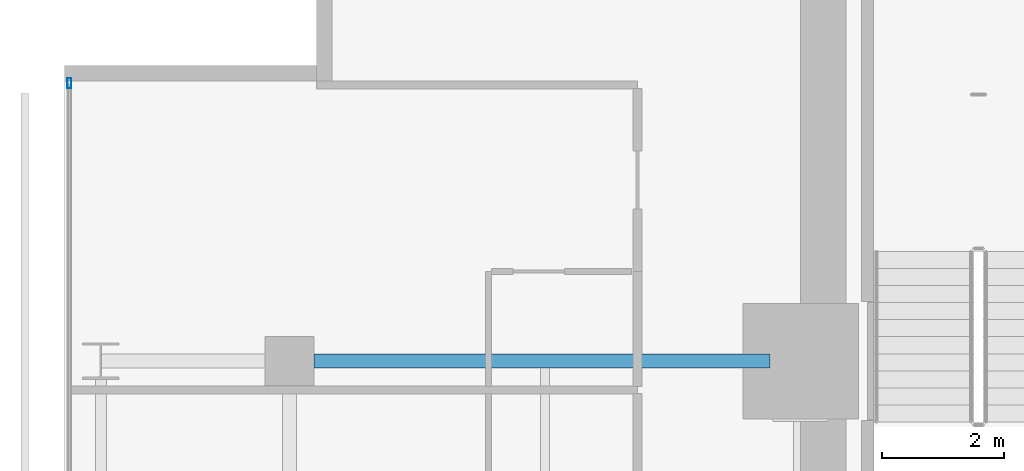
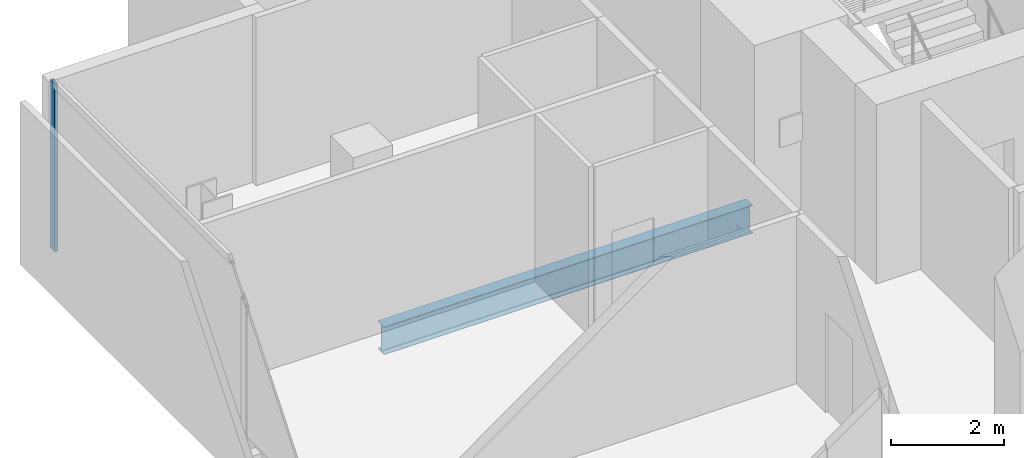
# One storey, part 20 of 34: 1 beam, 1 member, 1 element without a shape of its own.
"""IFC4 building model written with IfcOpenShell, lengths in metres."""

from ifc_helpers import new_model, si_unit, direction, frame, origin, origin_2d, place, context, subcontext, project, spatial, hollow_rectangle, i_section, extrude, material, layer, layer_set, material_profile, profile_set, type_object, element, aggregate, save


model = new_model("IFC4")

# Units and contexts
model_context = context("Model", 3, precision=1e-05, world=origin(), true_north=direction((0.0, 1.0)))
body_context = subcontext(model_context, "Body", "Model", "MODEL_VIEW")
ifc_project = project(units=[si_unit("LENGTHUNIT", "METRE"), si_unit("AREAUNIT", "SQUARE_METRE"), si_unit("VOLUMEUNIT", "CUBIC_METRE"), si_unit("PLANEANGLEUNIT", "RADIAN"), si_unit("MASSUNIT", "GRAM", prefix="KILO")], contexts=[model_context])

# Site, building, storey
site_placement = place(None, origin())
site = spatial("IfcSite", under=ifc_project, at=site_placement, CompositionType="ELEMENT")
building_placement = place(site_placement, origin())
building = spatial("IfcBuilding", under=site, at=building_placement, Name="Maruvema Waterfront Hotel and Observation Tower", CompositionType="ELEMENT")
storey_placement = place(building_placement, frame((0.0, 0.0, 177.449951171875)))
storey = spatial("IfcBuildingStorey", under=building, at=storey_placement, Name="L43", CompositionType="ELEMENT", Elevation=177.449951171875)

# Curtain wall, member
ifc_material_1 = material(Name="Anodised bronze aluminium and solar-control low-E IGU", Category="aluminium")
ifc_layer = layer(ifc_material_1, 0.159912109375, Name="Zone 2 Amber Inner Thermal Curtain Wall System CW-03")
ifc_layer_set = layer_set([ifc_layer], Name="Anodised bronze aluminium and solar-control low-E IGU")
curtain_wall_type = type_object("IfcCurtainWallType", Name="Zone 2 Amber Inner Thermal Curtain Wall System CW-03", PredefinedType="USERDEFINED", material=ifc_layer_set)
curtain_wall_placement = place(storey_placement, origin())
curtain_wall = element("IfcCurtainWall", 1, at=curtain_wall_placement, inside=storey, type_object=curtain_wall_type, Name="L43 Curtain Wall CW-L43-W", ObjectType="UNITISED CURTAIN WALL", PredefinedType="USERDEFINED")
ifc_material_2 = material(Name="Anodised architectural bronze aluminium", Category="aluminium")
ifc_material_profile_1 = material_profile(ifc_material_2, hollow_rectangle(XDim=0.06494140625, YDim=0.1650390625, WallThickness=0.00390625, at=origin_2d()), Name="ALU-M65x165")
ifc_profile_set_1 = profile_set([ifc_material_profile_1], Name="Anodised architectural bronze aluminium")
member_type = type_object("IfcMemberType", Name="Curtain Wall Primary Mullion ALU-M65x165", PredefinedType="MULLION", material=ifc_profile_set_1)
member_placement = place(storey_placement, frame((13.179931640625, 49.570068359375, 0.0), z_axis=(0.0, 0.0, 1.0), x_axis=(1.0, 0.0, 0.0)))
member = element("IfcMember", 2, at=member_placement, type_object=member_type, Name="CW-03 mullion 1", PredefinedType="MULLION", context=body_context, shape_type="SweptSolid", body=[
    extrude(hollow_rectangle(XDim=0.06494140625, YDim=0.1650390625, WallThickness=0.00390625, at=origin_2d()), origin(), (0.0, 0.0, 1.0), 3.610107421875),
])
aggregate(curtain_wall, [member])

# Beam
ifc_material_3 = material(Name="Steel ASTM A572 Grade 50", Category="steel")
ifc_material_profile_2 = material_profile(ifc_material_3, i_section(OverallWidth=0.22802734375, OverallDepth=0.60302734375, WebThickness=0.010498046875, FlangeThickness=0.014892578125, FilletRadius=0.01806640625, at=origin_2d()), Name="W610x101.0")
ifc_profile_set_2 = profile_set([ifc_material_profile_2], Name="Steel ASTM A572 Grade 50")
beam_type = type_object("IfcBeamType", Name="Primary Floor Girder W610x101.0", PredefinedType="BEAM", material=ifc_profile_set_2)
beam_placement = place(storey_placement, frame((17.199951171875, 45.0, -0.54150390625), z_axis=(1.0, 0.0, 0.0), x_axis=(0.0, 1.0, 0.0)))
element("IfcBeam", 3, at=beam_placement, inside=storey, type_object=beam_type, Name="L43 Floor Girder EW-31", PredefinedType="BEAM", context=body_context, shape_type="SweptSolid", body=[
    extrude(i_section(OverallWidth=0.22802734375, OverallDepth=0.60302734375, WebThickness=0.010498046875, FlangeThickness=0.014892578125, FilletRadius=0.01806640625, at=origin_2d()), origin(), (0.0, 0.0, 1.0), 7.5),
])

save(model, "model.ifc")
